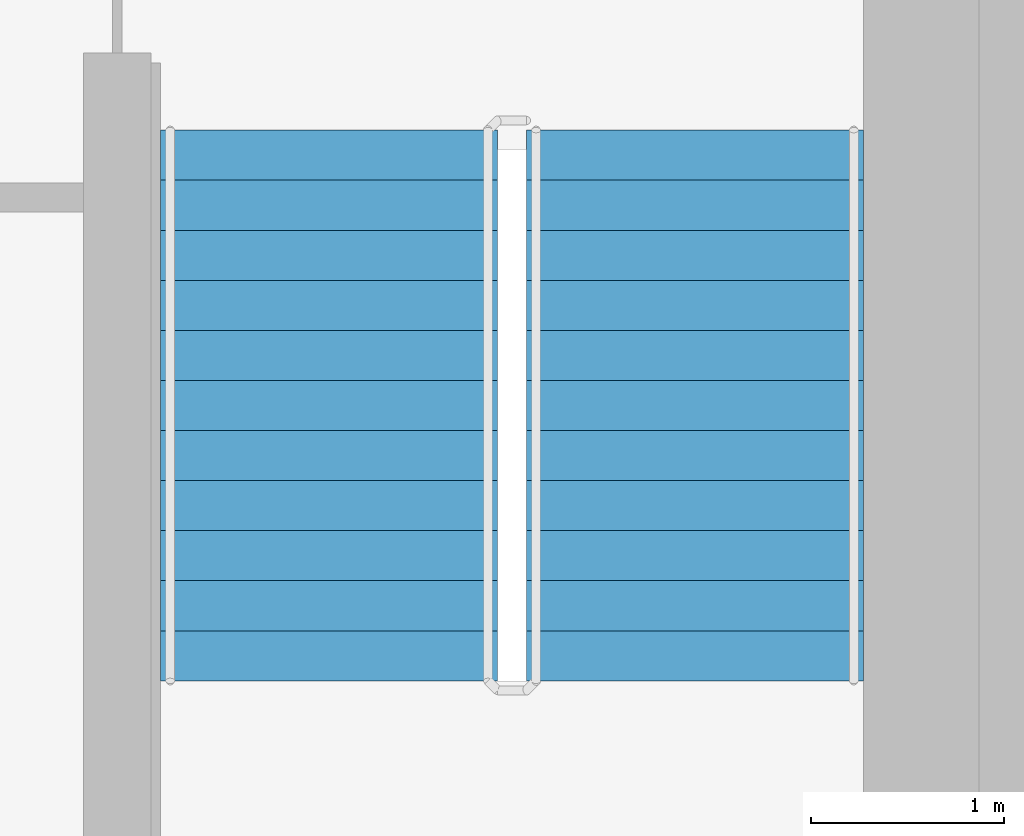
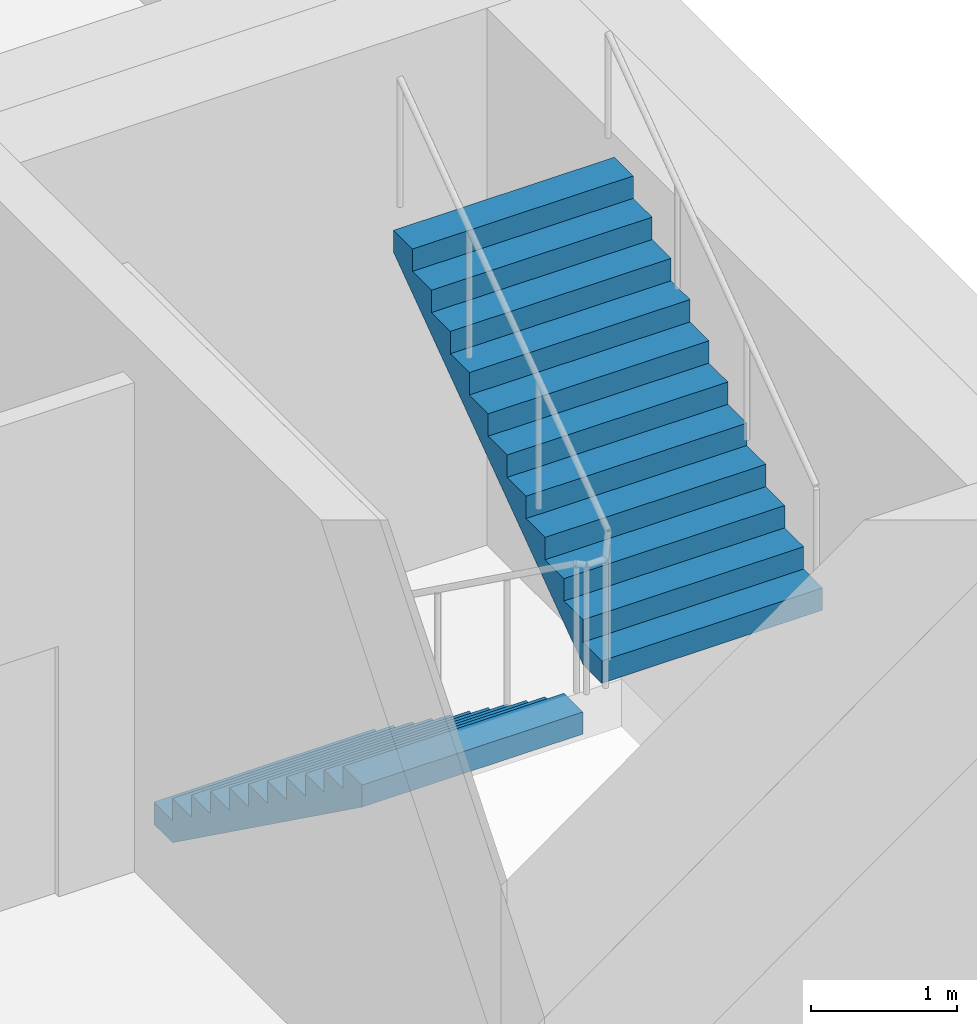
# One storey, part 9 of 11: 2 stair flights, 1 element without a shape of its own.
"""IFC4 building model written with IfcOpenShell, lengths in metres."""

from ifc_helpers import new_model, si_unit, direction, frame, origin, place, context, subcontext, project, spatial, faceted_brep, material, type_object, element, aggregate, save


model = new_model("IFC4")

# Units and contexts
model_context = context("Model", 3, precision=1e-05, world=origin(), true_north=direction((0.0, 1.0)))
body_context = subcontext(model_context, "Body", "Model", "MODEL_VIEW")
ifc_project = project(units=[si_unit("LENGTHUNIT", "METRE"), si_unit("AREAUNIT", "SQUARE_METRE"), si_unit("VOLUMEUNIT", "CUBIC_METRE"), si_unit("PLANEANGLEUNIT", "RADIAN"), si_unit("MASSUNIT", "GRAM", prefix="KILO")], contexts=[model_context])

# Site, building, storey
site_placement = place(None, origin())
site = spatial("IfcSite", under=ifc_project, at=site_placement, CompositionType="ELEMENT")
building_placement = place(site_placement, origin())
building = spatial("IfcBuilding", under=site, at=building_placement, Name="Ipe Terrace Towers", CompositionType="ELEMENT")
storey_placement = place(building_placement, frame((0.0, 0.0, 251.39990234375)))
storey = spatial("IfcBuildingStorey", under=building, at=storey_placement, Name="L69", CompositionType="ELEMENT", Elevation=251.39990234375)

# Stair, stair flights
ifc_material_1 = material(Name="Concrete C30/37", Category="concrete")
stair_type = type_object("IfcStairType", Name="Protected exit stair", PredefinedType="HALF_TURN_STAIR", material=ifc_material_1)
stair_placement = place(storey_placement, origin())
stair = element("IfcStair", 1, at=stair_placement, inside=storey, type_object=stair_type, Name="L69 Exit stair T2-C2", PredefinedType="HALF_TURN_STAIR")
ifc_material_2 = material(Name="Concrete C30/37", Category="concrete")
stair_flight_type = type_object("IfcStairFlightType", Name="Exit stair flight 1750", PredefinedType="STRAIGHT", material=ifc_material_2)
stair_flight_1_placement = place(storey_placement, frame((38.77490234375, -9.699951171875, 0.0), z_axis=(0.0, 0.0, 1.0), x_axis=(0.0, -1.0, 0.0)))
stair_flight_1 = element("IfcStairFlight", 2, at=stair_flight_1_placement, type_object=stair_flight_type, Name="T2-ST2 flight 1", NumberOfRisers=12, NumberOfTreads=11, PredefinedType="STRAIGHT", RiserHeight=0.1875, TreadLength=0.26, context=body_context, shape_type="Brep", body=[
    faceted_brep([(0.25634765625, -0.875, 0.0), (2.860107421875, -0.875, 1.877685546875), (2.860107421875, -0.875, 2.0625), (2.60009765625, -0.875, 2.0625), (2.60009765625, -0.875, 1.875), (2.340087890625, -0.875, 1.875), (2.340087890625, -0.875, 1.6875), (2.080078125, -0.875, 1.6875), (2.080078125, -0.875, 1.5), (1.820068359375, -0.875, 1.5), (1.820068359375, -0.875, 1.3125), (1.56005859375, -0.875, 1.3125), (1.56005859375, -0.875, 1.125), (1.300048828125, -0.875, 1.125), (1.300048828125, -0.875, 0.9375), (1.0400390625, -0.875, 0.9375), (1.0400390625, -0.875, 0.75), (0.780029296875, -0.875, 0.75), (0.780029296875, -0.875, 0.5625), (0.52001953125, -0.875, 0.5625), (0.52001953125, -0.875, 0.375), (0.260009765625, -0.875, 0.375), (0.260009765625, -0.875, 0.1875), (0.0, -0.875, 0.1875), (0.0, -0.875, 0.0), (0.0, 0.875, 0.0), (0.0, 0.875, 0.1875), (0.260009765625, 0.875, 0.1875), (0.260009765625, 0.875, 0.375), (0.52001953125, 0.875, 0.375), (0.52001953125, 0.875, 0.5625), (0.780029296875, 0.875, 0.5625), (0.780029296875, 0.875, 0.75), (1.0400390625, 0.875, 0.75), (1.0400390625, 0.875, 0.9375), (1.300048828125, 0.875, 0.9375), (1.300048828125, 0.875, 1.125), (1.56005859375, 0.875, 1.125), (1.56005859375, 0.875, 1.3125), (1.820068359375, 0.875, 1.3125), (1.820068359375, 0.875, 1.5), (2.080078125, 0.875, 1.5), (2.080078125, 0.875, 1.6875), (2.340087890625, 0.875, 1.6875), (2.340087890625, 0.875, 1.875), (2.60009765625, 0.875, 1.875), (2.60009765625, 0.875, 2.0625), (2.860107421875, 0.875, 2.0625), (2.860107421875, 0.875, 1.877685546875), (0.25634765625, 0.875, 0.0), (0.0, -0.300048828125, 0.1875), (0.0, -0.1201171875, 0.1875), (0.0, -0.06005859375, 0.1875), (0.0, -0.030029296875, 0.1875), (0.0, -0.010009765625, 0.1875), (0.0, 0.0, 0.1875), (0.0, 0.010009765625, 0.1875), (0.0, 0.030029296875, 0.1875), (0.0, 0.06005859375, 0.1875), (0.0, 0.1201171875, 0.1875), (0.0, 0.300048828125, 0.1875), (0.0, 0.300048828125, 0.0), (0.0, 0.1201171875, 0.0), (0.0, 0.06005859375, 0.0), (0.0, 0.030029296875, 0.0), (0.0, 0.010009765625, 0.0), (0.0, 0.0, 0.0), (0.0, -0.010009765625, 0.0), (0.0, -0.030029296875, 0.0), (0.0, -0.06005859375, 0.0), (0.0, -0.1201171875, 0.0), (0.0, -0.300048828125, 0.0), (0.260009765625, -0.300048828125, 0.1875), (0.260009765625, -0.1201171875, 0.1875), (0.260009765625, -0.06005859375, 0.1875), (0.260009765625, -0.030029296875, 0.1875), (0.260009765625, -0.010009765625, 0.1875), (0.260009765625, 0.0, 0.1875), (0.260009765625, 0.010009765625, 0.1875), (0.260009765625, 0.030029296875, 0.1875), (0.260009765625, 0.06005859375, 0.1875), (0.260009765625, 0.1201171875, 0.1875), (0.260009765625, 0.300048828125, 0.1875), (0.260009765625, -0.300048828125, 0.375), (0.260009765625, -0.1201171875, 0.375), (0.260009765625, -0.06005859375, 0.375), (0.260009765625, -0.030029296875, 0.375), (0.260009765625, -0.010009765625, 0.375), (0.260009765625, 0.0, 0.375), (0.260009765625, 0.010009765625, 0.375), (0.260009765625, 0.030029296875, 0.375), (0.260009765625, 0.06005859375, 0.375), (0.260009765625, 0.1201171875, 0.375), (0.260009765625, 0.300048828125, 0.375), (0.52001953125, -0.300048828125, 0.375), (0.52001953125, -0.1201171875, 0.375), (0.52001953125, -0.06005859375, 0.375), (0.52001953125, -0.030029296875, 0.375), (0.52001953125, -0.010009765625, 0.375), (0.52001953125, 0.0, 0.375), (0.52001953125, 0.010009765625, 0.375), (0.52001953125, 0.030029296875, 0.375), (0.52001953125, 0.06005859375, 0.375), (0.52001953125, 0.1201171875, 0.375), (0.52001953125, 0.300048828125, 0.375), (0.52001953125, -0.300048828125, 0.5625), (0.52001953125, -0.1201171875, 0.5625), (0.52001953125, -0.06005859375, 0.5625), (0.52001953125, -0.030029296875, 0.5625), (0.52001953125, -0.010009765625, 0.5625), (0.52001953125, 0.0, 0.5625), (0.52001953125, 0.010009765625, 0.5625), (0.52001953125, 0.030029296875, 0.5625), (0.52001953125, 0.06005859375, 0.5625), (0.52001953125, 0.1201171875, 0.5625), (0.52001953125, 0.300048828125, 0.5625), (0.780029296875, -0.300048828125, 0.5625), (0.780029296875, -0.1201171875, 0.5625), (0.780029296875, -0.06005859375, 0.5625), (0.780029296875, -0.030029296875, 0.5625), (0.780029296875, -0.010009765625, 0.5625), (0.780029296875, 0.0, 0.5625), (0.780029296875, 0.010009765625, 0.5625), (0.780029296875, 0.030029296875, 0.5625), (0.780029296875, 0.06005859375, 0.5625), (0.780029296875, 0.1201171875, 0.5625), (0.780029296875, 0.300048828125, 0.5625), (0.780029296875, -0.300048828125, 0.75), (0.780029296875, -0.1201171875, 0.75), (0.780029296875, -0.06005859375, 0.75), (0.780029296875, -0.030029296875, 0.75), (0.780029296875, -0.010009765625, 0.75), (0.780029296875, 0.0, 0.75), (0.780029296875, 0.010009765625, 0.75), (0.780029296875, 0.030029296875, 0.75), (0.780029296875, 0.06005859375, 0.75), (0.780029296875, 0.1201171875, 0.75), (0.780029296875, 0.300048828125, 0.75), (1.0400390625, -0.300048828125, 0.75), (1.0400390625, -0.1201171875, 0.75), (1.0400390625, -0.06005859375, 0.75), (1.0400390625, -0.030029296875, 0.75), (1.0400390625, -0.010009765625, 0.75), (1.0400390625, 0.0, 0.75), (1.0400390625, 0.010009765625, 0.75), (1.0400390625, 0.030029296875, 0.75), (1.0400390625, 0.06005859375, 0.75), (1.0400390625, 0.1201171875, 0.75), (1.0400390625, 0.300048828125, 0.75), (1.0400390625, -0.300048828125, 0.9375), (1.0400390625, -0.1201171875, 0.9375), (1.0400390625, -0.06005859375, 0.9375), (1.0400390625, -0.030029296875, 0.9375), (1.0400390625, -0.010009765625, 0.9375), (1.0400390625, 0.0, 0.9375), (1.0400390625, 0.010009765625, 0.9375), (1.0400390625, 0.030029296875, 0.9375), (1.0400390625, 0.06005859375, 0.9375), (1.0400390625, 0.1201171875, 0.9375), (1.0400390625, 0.300048828125, 0.9375), (1.300048828125, -0.300048828125, 0.9375), (1.300048828125, -0.1201171875, 0.9375), (1.300048828125, -0.06005859375, 0.9375), (1.300048828125, -0.030029296875, 0.9375), (1.300048828125, -0.010009765625, 0.9375), (1.300048828125, 0.0, 0.9375), (1.300048828125, 0.010009765625, 0.9375), (1.300048828125, 0.030029296875, 0.9375), (1.300048828125, 0.06005859375, 0.9375), (1.300048828125, 0.1201171875, 0.9375), (1.300048828125, 0.300048828125, 0.9375), (1.300048828125, -0.300048828125, 1.125), (1.300048828125, -0.1201171875, 1.125), (1.300048828125, -0.06005859375, 1.125), (1.300048828125, -0.030029296875, 1.125), (1.300048828125, -0.010009765625, 1.125), (1.300048828125, 0.0, 1.125), (1.300048828125, 0.010009765625, 1.125), (1.300048828125, 0.030029296875, 1.125), (1.300048828125, 0.06005859375, 1.125), (1.300048828125, 0.1201171875, 1.125), (1.300048828125, 0.300048828125, 1.125), (1.56005859375, -0.300048828125, 1.125), (1.56005859375, -0.1201171875, 1.125), (1.56005859375, -0.06005859375, 1.125), (1.56005859375, -0.030029296875, 1.125), (1.56005859375, -0.010009765625, 1.125), (1.56005859375, 0.0, 1.125), (1.56005859375, 0.010009765625, 1.125), (1.56005859375, 0.030029296875, 1.125), (1.56005859375, 0.06005859375, 1.125), (1.56005859375, 0.1201171875, 1.125), (1.56005859375, 0.300048828125, 1.125), (1.56005859375, -0.300048828125, 1.3125), (1.56005859375, -0.1201171875, 1.3125), (1.56005859375, -0.06005859375, 1.3125), (1.56005859375, -0.030029296875, 1.3125), (1.56005859375, -0.010009765625, 1.3125), (1.56005859375, 0.0, 1.3125), (1.56005859375, 0.010009765625, 1.3125), (1.56005859375, 0.030029296875, 1.3125), (1.56005859375, 0.06005859375, 1.3125), (1.56005859375, 0.1201171875, 1.3125), (1.56005859375, 0.300048828125, 1.3125), (1.820068359375, -0.300048828125, 1.3125), (1.820068359375, -0.1201171875, 1.3125), (1.820068359375, -0.06005859375, 1.3125), (1.820068359375, -0.030029296875, 1.3125), (1.820068359375, -0.010009765625, 1.3125), (1.820068359375, 0.0, 1.3125), (1.820068359375, 0.010009765625, 1.3125), (1.820068359375, 0.030029296875, 1.3125), (1.820068359375, 0.06005859375, 1.3125), (1.820068359375, 0.1201171875, 1.3125), (1.820068359375, 0.300048828125, 1.3125), (1.820068359375, -0.300048828125, 1.5), (1.820068359375, -0.1201171875, 1.5), (1.820068359375, -0.06005859375, 1.5), (1.820068359375, -0.030029296875, 1.5), (1.820068359375, -0.010009765625, 1.5), (1.820068359375, 0.0, 1.5), (1.820068359375, 0.010009765625, 1.5), (1.820068359375, 0.030029296875, 1.5), (1.820068359375, 0.06005859375, 1.5), (1.820068359375, 0.1201171875, 1.5), (1.820068359375, 0.300048828125, 1.5), (2.080078125, -0.300048828125, 1.5), (2.080078125, -0.1201171875, 1.5), (2.080078125, -0.06005859375, 1.5), (2.080078125, -0.030029296875, 1.5), (2.080078125, -0.010009765625, 1.5), (2.080078125, 0.0, 1.5), (2.080078125, 0.010009765625, 1.5), (2.080078125, 0.030029296875, 1.5), (2.080078125, 0.06005859375, 1.5), (2.080078125, 0.1201171875, 1.5), (2.080078125, 0.300048828125, 1.5), (2.080078125, -0.300048828125, 1.6875), (2.080078125, -0.1201171875, 1.6875), (2.080078125, -0.06005859375, 1.6875), (2.080078125, -0.030029296875, 1.6875), (2.080078125, -0.010009765625, 1.6875), (2.080078125, 0.0, 1.6875), (2.080078125, 0.010009765625, 1.6875), (2.080078125, 0.030029296875, 1.6875), (2.080078125, 0.06005859375, 1.6875), (2.080078125, 0.1201171875, 1.6875), (2.080078125, 0.300048828125, 1.6875), (2.340087890625, -0.300048828125, 1.6875), (2.340087890625, -0.1201171875, 1.6875), (2.340087890625, -0.06005859375, 1.6875), (2.340087890625, -0.030029296875, 1.6875), (2.340087890625, -0.010009765625, 1.6875), (2.340087890625, 0.0, 1.6875), (2.340087890625, 0.010009765625, 1.6875), (2.340087890625, 0.030029296875, 1.6875), (2.340087890625, 0.06005859375, 1.6875), (2.340087890625, 0.1201171875, 1.6875), (2.340087890625, 0.300048828125, 1.6875), (2.340087890625, -0.300048828125, 1.875), (2.340087890625, -0.1201171875, 1.875), (2.340087890625, -0.06005859375, 1.875), (2.340087890625, -0.030029296875, 1.875), (2.340087890625, -0.010009765625, 1.875), (2.340087890625, 0.0, 1.875), (2.340087890625, 0.010009765625, 1.875), (2.340087890625, 0.030029296875, 1.875), (2.340087890625, 0.06005859375, 1.875), (2.340087890625, 0.1201171875, 1.875), (2.340087890625, 0.300048828125, 1.875), (2.60009765625, -0.300048828125, 1.875), (2.60009765625, -0.1201171875, 1.875), (2.60009765625, -0.06005859375, 1.875), (2.60009765625, -0.030029296875, 1.875), (2.60009765625, -0.010009765625, 1.875), (2.60009765625, 0.0, 1.875), (2.60009765625, 0.010009765625, 1.875), (2.60009765625, 0.030029296875, 1.875), (2.60009765625, 0.06005859375, 1.875), (2.60009765625, 0.1201171875, 1.875), (2.60009765625, 0.300048828125, 1.875), (2.60009765625, -0.300048828125, 2.0625), (2.60009765625, -0.1201171875, 2.0625), (2.60009765625, -0.06005859375, 2.0625), (2.60009765625, -0.030029296875, 2.0625), (2.60009765625, -0.010009765625, 2.0625), (2.60009765625, 0.0, 2.0625), (2.60009765625, 0.010009765625, 2.0625), (2.60009765625, 0.030029296875, 2.0625), (2.60009765625, 0.06005859375, 2.0625), (2.60009765625, 0.1201171875, 2.0625), (2.60009765625, 0.300048828125, 2.0625), (2.860107421875, -0.300048828125, 2.0625), (2.860107421875, -0.1201171875, 2.0625), (2.860107421875, -0.06005859375, 2.0625), (2.860107421875, -0.030029296875, 2.0625), (2.860107421875, -0.010009765625, 2.0625), (2.860107421875, 0.0, 2.0625), (2.860107421875, 0.010009765625, 2.0625), (2.860107421875, 0.030029296875, 2.0625), (2.860107421875, 0.06005859375, 2.0625), (2.860107421875, 0.1201171875, 2.0625), (2.860107421875, 0.300048828125, 2.0625), (2.860107421875, -0.300048828125, 1.877685546875), (2.860107421875, -0.1201171875, 1.877685546875), (2.860107421875, -0.06005859375, 1.877685546875), (2.860107421875, -0.030029296875, 1.877685546875), (2.860107421875, -0.010009765625, 1.877685546875), (2.860107421875, 0.0, 1.877685546875), (2.860107421875, 0.010009765625, 1.877685546875), (2.860107421875, 0.030029296875, 1.877685546875), (2.860107421875, 0.06005859375, 1.877685546875), (2.860107421875, 0.1201171875, 1.877685546875), (2.860107421875, 0.300048828125, 1.877685546875), (0.25634765625, -0.300048828125, 0.0), (0.25634765625, -0.1201171875, 0.0), (0.25634765625, -0.06005859375, 0.0), (0.25634765625, -0.030029296875, 0.0), (0.25634765625, -0.010009765625, 0.0), (0.25634765625, 0.0, 0.0), (0.25634765625, 0.010009765625, 0.0), (0.25634765625, 0.030029296875, 0.0), (0.25634765625, 0.06005859375, 0.0), (0.25634765625, 0.1201171875, 0.0), (0.25634765625, 0.300048828125, 0.0)], [[[0, 1, 2, 3, 4, 5, 6, 7, 8, 9, 10, 11, 12, 13, 14, 15, 16, 17, 18, 19, 20, 21, 22, 23, 24]], [[25, 26, 27, 28, 29, 30, 31, 32, 33, 34, 35, 36, 37, 38, 39, 40, 41, 42, 43, 44, 45, 46, 47, 48, 49]], [[23, 50, 51, 52, 53, 54, 55, 56, 57, 58, 59, 60, 26, 25, 61, 62, 63, 64, 65, 66, 67, 68, 69, 70, 71, 24]], [[22, 72, 73, 74, 75, 76, 77, 78, 79, 80, 81, 82, 27, 26, 60, 59, 58, 57, 56, 55, 54, 53, 52, 51, 50, 23]], [[21, 83, 84, 85, 86, 87, 88, 89, 90, 91, 92, 93, 28, 27, 82, 81, 80, 79, 78, 77, 76, 75, 74, 73, 72, 22]], [[20, 94, 95, 96, 97, 98, 99, 100, 101, 102, 103, 104, 29, 28, 93, 92, 91, 90, 89, 88, 87, 86, 85, 84, 83, 21]], [[19, 105, 106, 107, 108, 109, 110, 111, 112, 113, 114, 115, 30, 29, 104, 103, 102, 101, 100, 99, 98, 97, 96, 95, 94, 20]], [[18, 116, 117, 118, 119, 120, 121, 122, 123, 124, 125, 126, 31, 30, 115, 114, 113, 112, 111, 110, 109, 108, 107, 106, 105, 19]], [[17, 127, 128, 129, 130, 131, 132, 133, 134, 135, 136, 137, 32, 31, 126, 125, 124, 123, 122, 121, 120, 119, 118, 117, 116, 18]], [[16, 138, 139, 140, 141, 142, 143, 144, 145, 146, 147, 148, 33, 32, 137, 136, 135, 134, 133, 132, 131, 130, 129, 128, 127, 17]], [[15, 149, 150, 151, 152, 153, 154, 155, 156, 157, 158, 159, 34, 33, 148, 147, 146, 145, 144, 143, 142, 141, 140, 139, 138, 16]], [[14, 160, 161, 162, 163, 164, 165, 166, 167, 168, 169, 170, 35, 34, 159, 158, 157, 156, 155, 154, 153, 152, 151, 150, 149, 15]], [[13, 171, 172, 173, 174, 175, 176, 177, 178, 179, 180, 181, 36, 35, 170, 169, 168, 167, 166, 165, 164, 163, 162, 161, 160, 14]], [[12, 182, 183, 184, 185, 186, 187, 188, 189, 190, 191, 192, 37, 36, 181, 180, 179, 178, 177, 176, 175, 174, 173, 172, 171, 13]], [[11, 193, 194, 195, 196, 197, 198, 199, 200, 201, 202, 203, 38, 37, 192, 191, 190, 189, 188, 187, 186, 185, 184, 183, 182, 12]], [[10, 204, 205, 206, 207, 208, 209, 210, 211, 212, 213, 214, 39, 38, 203, 202, 201, 200, 199, 198, 197, 196, 195, 194, 193, 11]], [[9, 215, 216, 217, 218, 219, 220, 221, 222, 223, 224, 225, 40, 39, 214, 213, 212, 211, 210, 209, 208, 207, 206, 205, 204, 10]], [[8, 226, 227, 228, 229, 230, 231, 232, 233, 234, 235, 236, 41, 40, 225, 224, 223, 222, 221, 220, 219, 218, 217, 216, 215, 9]], [[7, 237, 238, 239, 240, 241, 242, 243, 244, 245, 246, 247, 42, 41, 236, 235, 234, 233, 232, 231, 230, 229, 228, 227, 226, 8]], [[6, 248, 249, 250, 251, 252, 253, 254, 255, 256, 257, 258, 43, 42, 247, 246, 245, 244, 243, 242, 241, 240, 239, 238, 237, 7]], [[5, 259, 260, 261, 262, 263, 264, 265, 266, 267, 268, 269, 44, 43, 258, 257, 256, 255, 254, 253, 252, 251, 250, 249, 248, 6]], [[4, 270, 271, 272, 273, 274, 275, 276, 277, 278, 279, 280, 45, 44, 269, 268, 267, 266, 265, 264, 263, 262, 261, 260, 259, 5]], [[3, 281, 282, 283, 284, 285, 286, 287, 288, 289, 290, 291, 46, 45, 280, 279, 278, 277, 276, 275, 274, 273, 272, 271, 270, 4]], [[2, 292, 293, 294, 295, 296, 297, 298, 299, 300, 301, 302, 47, 46, 291, 290, 289, 288, 287, 286, 285, 284, 283, 282, 281, 3]], [[1, 303, 304, 305, 306, 307, 308, 309, 310, 311, 312, 313, 48, 47, 302, 301, 300, 299, 298, 297, 296, 295, 294, 293, 292, 2]], [[0, 314, 315, 316, 317, 318, 319, 320, 321, 322, 323, 324, 49, 48, 313, 312, 311, 310, 309, 308, 307, 306, 305, 304, 303, 1]], [[24, 71, 70, 69, 68, 67, 66, 65, 64, 63, 62, 61, 25, 49, 324, 323, 322, 321, 320, 319, 318, 317, 316, 315, 314, 0]]]),
])
stair_flight_2_placement = place(storey_placement, frame((40.675048828125, -12.56005859375, 2.25), z_axis=(0.0, 0.0, 1.0), x_axis=(0.0, 1.0, 0.0)))
stair_flight_2 = element("IfcStairFlight", 3, at=stair_flight_2_placement, type_object=stair_flight_type, Name="T2-ST2 flight 2", NumberOfRisers=12, NumberOfTreads=11, PredefinedType="STRAIGHT", RiserHeight=0.1875, TreadLength=0.26, context=body_context, shape_type="Brep", body=[
    faceted_brep([(0.25634765625, -0.875, 0.0), (2.860107421875, -0.875, 1.877685546875), (2.860107421875, -0.875, 2.0625), (2.60009765625, -0.875, 2.0625), (2.60009765625, -0.875, 1.875), (2.340087890625, -0.875, 1.875), (2.340087890625, -0.875, 1.6875), (2.080078125, -0.875, 1.6875), (2.080078125, -0.875, 1.5), (1.820068359375, -0.875, 1.5), (1.820068359375, -0.875, 1.3125), (1.56005859375, -0.875, 1.3125), (1.56005859375, -0.875, 1.125), (1.300048828125, -0.875, 1.125), (1.300048828125, -0.875, 0.9375), (1.0400390625, -0.875, 0.9375), (1.0400390625, -0.875, 0.75), (0.780029296875, -0.875, 0.75), (0.780029296875, -0.875, 0.5625), (0.52001953125, -0.875, 0.5625), (0.52001953125, -0.875, 0.375), (0.260009765625, -0.875, 0.375), (0.260009765625, -0.875, 0.1875), (0.0, -0.875, 0.1875), (0.0, -0.875, 0.0), (0.0, 0.875, 0.0), (0.0, 0.875, 0.1875), (0.260009765625, 0.875, 0.1875), (0.260009765625, 0.875, 0.375), (0.52001953125, 0.875, 0.375), (0.52001953125, 0.875, 0.5625), (0.780029296875, 0.875, 0.5625), (0.780029296875, 0.875, 0.75), (1.0400390625, 0.875, 0.75), (1.0400390625, 0.875, 0.9375), (1.300048828125, 0.875, 0.9375), (1.300048828125, 0.875, 1.125), (1.56005859375, 0.875, 1.125), (1.56005859375, 0.875, 1.3125), (1.820068359375, 0.875, 1.3125), (1.820068359375, 0.875, 1.5), (2.080078125, 0.875, 1.5), (2.080078125, 0.875, 1.6875), (2.340087890625, 0.875, 1.6875), (2.340087890625, 0.875, 1.875), (2.60009765625, 0.875, 1.875), (2.60009765625, 0.875, 2.0625), (2.860107421875, 0.875, 2.0625), (2.860107421875, 0.875, 1.877685546875), (0.25634765625, 0.875, 0.0), (0.0, -0.300048828125, 0.1875), (0.0, -0.1201171875, 0.1875), (0.0, -0.06005859375, 0.1875), (0.0, -0.030029296875, 0.1875), (0.0, -0.010009765625, 0.1875), (0.0, 0.0, 0.1875), (0.0, 0.010009765625, 0.1875), (0.0, 0.030029296875, 0.1875), (0.0, 0.06005859375, 0.1875), (0.0, 0.1201171875, 0.1875), (0.0, 0.300048828125, 0.1875), (0.0, 0.300048828125, 0.0), (0.0, 0.1201171875, 0.0), (0.0, 0.06005859375, 0.0), (0.0, 0.030029296875, 0.0), (0.0, 0.010009765625, 0.0), (0.0, 0.0, 0.0), (0.0, -0.010009765625, 0.0), (0.0, -0.030029296875, 0.0), (0.0, -0.06005859375, 0.0), (0.0, -0.1201171875, 0.0), (0.0, -0.300048828125, 0.0), (0.260009765625, -0.300048828125, 0.1875), (0.260009765625, -0.1201171875, 0.1875), (0.260009765625, -0.06005859375, 0.1875), (0.260009765625, -0.030029296875, 0.1875), (0.260009765625, -0.010009765625, 0.1875), (0.260009765625, 0.0, 0.1875), (0.260009765625, 0.010009765625, 0.1875), (0.260009765625, 0.030029296875, 0.1875), (0.260009765625, 0.06005859375, 0.1875), (0.260009765625, 0.1201171875, 0.1875), (0.260009765625, 0.300048828125, 0.1875), (0.260009765625, -0.300048828125, 0.375), (0.260009765625, -0.1201171875, 0.375), (0.260009765625, -0.06005859375, 0.375), (0.260009765625, -0.030029296875, 0.375), (0.260009765625, -0.010009765625, 0.375), (0.260009765625, 0.0, 0.375), (0.260009765625, 0.010009765625, 0.375), (0.260009765625, 0.030029296875, 0.375), (0.260009765625, 0.06005859375, 0.375), (0.260009765625, 0.1201171875, 0.375), (0.260009765625, 0.300048828125, 0.375), (0.52001953125, -0.300048828125, 0.375), (0.52001953125, -0.1201171875, 0.375), (0.52001953125, -0.06005859375, 0.375), (0.52001953125, -0.030029296875, 0.375), (0.52001953125, -0.010009765625, 0.375), (0.52001953125, 0.0, 0.375), (0.52001953125, 0.010009765625, 0.375), (0.52001953125, 0.030029296875, 0.375), (0.52001953125, 0.06005859375, 0.375), (0.52001953125, 0.1201171875, 0.375), (0.52001953125, 0.300048828125, 0.375), (0.52001953125, -0.300048828125, 0.5625), (0.52001953125, -0.1201171875, 0.5625), (0.52001953125, -0.06005859375, 0.5625), (0.52001953125, -0.030029296875, 0.5625), (0.52001953125, -0.010009765625, 0.5625), (0.52001953125, 0.0, 0.5625), (0.52001953125, 0.010009765625, 0.5625), (0.52001953125, 0.030029296875, 0.5625), (0.52001953125, 0.06005859375, 0.5625), (0.52001953125, 0.1201171875, 0.5625), (0.52001953125, 0.300048828125, 0.5625), (0.780029296875, -0.300048828125, 0.5625), (0.780029296875, -0.1201171875, 0.5625), (0.780029296875, -0.06005859375, 0.5625), (0.780029296875, -0.030029296875, 0.5625), (0.780029296875, -0.010009765625, 0.5625), (0.780029296875, 0.0, 0.5625), (0.780029296875, 0.010009765625, 0.5625), (0.780029296875, 0.030029296875, 0.5625), (0.780029296875, 0.06005859375, 0.5625), (0.780029296875, 0.1201171875, 0.5625), (0.780029296875, 0.300048828125, 0.5625), (0.780029296875, -0.300048828125, 0.75), (0.780029296875, -0.1201171875, 0.75), (0.780029296875, -0.06005859375, 0.75), (0.780029296875, -0.030029296875, 0.75), (0.780029296875, -0.010009765625, 0.75), (0.780029296875, 0.0, 0.75), (0.780029296875, 0.010009765625, 0.75), (0.780029296875, 0.030029296875, 0.75), (0.780029296875, 0.06005859375, 0.75), (0.780029296875, 0.1201171875, 0.75), (0.780029296875, 0.300048828125, 0.75), (1.0400390625, -0.300048828125, 0.75), (1.0400390625, -0.1201171875, 0.75), (1.0400390625, -0.06005859375, 0.75), (1.0400390625, -0.030029296875, 0.75), (1.0400390625, -0.010009765625, 0.75), (1.0400390625, 0.0, 0.75), (1.0400390625, 0.010009765625, 0.75), (1.0400390625, 0.030029296875, 0.75), (1.0400390625, 0.06005859375, 0.75), (1.0400390625, 0.1201171875, 0.75), (1.0400390625, 0.300048828125, 0.75), (1.0400390625, -0.300048828125, 0.9375), (1.0400390625, -0.1201171875, 0.9375), (1.0400390625, -0.06005859375, 0.9375), (1.0400390625, -0.030029296875, 0.9375), (1.0400390625, -0.010009765625, 0.9375), (1.0400390625, 0.0, 0.9375), (1.0400390625, 0.010009765625, 0.9375), (1.0400390625, 0.030029296875, 0.9375), (1.0400390625, 0.06005859375, 0.9375), (1.0400390625, 0.1201171875, 0.9375), (1.0400390625, 0.300048828125, 0.9375), (1.300048828125, -0.300048828125, 0.9375), (1.300048828125, -0.1201171875, 0.9375), (1.300048828125, -0.06005859375, 0.9375), (1.300048828125, -0.030029296875, 0.9375), (1.300048828125, -0.010009765625, 0.9375), (1.300048828125, 0.0, 0.9375), (1.300048828125, 0.010009765625, 0.9375), (1.300048828125, 0.030029296875, 0.9375), (1.300048828125, 0.06005859375, 0.9375), (1.300048828125, 0.1201171875, 0.9375), (1.300048828125, 0.300048828125, 0.9375), (1.300048828125, -0.300048828125, 1.125), (1.300048828125, -0.1201171875, 1.125), (1.300048828125, -0.06005859375, 1.125), (1.300048828125, -0.030029296875, 1.125), (1.300048828125, -0.010009765625, 1.125), (1.300048828125, 0.0, 1.125), (1.300048828125, 0.010009765625, 1.125), (1.300048828125, 0.030029296875, 1.125), (1.300048828125, 0.06005859375, 1.125), (1.300048828125, 0.1201171875, 1.125), (1.300048828125, 0.300048828125, 1.125), (1.56005859375, -0.300048828125, 1.125), (1.56005859375, -0.1201171875, 1.125), (1.56005859375, -0.06005859375, 1.125), (1.56005859375, -0.030029296875, 1.125), (1.56005859375, -0.010009765625, 1.125), (1.56005859375, 0.0, 1.125), (1.56005859375, 0.010009765625, 1.125), (1.56005859375, 0.030029296875, 1.125), (1.56005859375, 0.06005859375, 1.125), (1.56005859375, 0.1201171875, 1.125), (1.56005859375, 0.300048828125, 1.125), (1.56005859375, -0.300048828125, 1.3125), (1.56005859375, -0.1201171875, 1.3125), (1.56005859375, -0.06005859375, 1.3125), (1.56005859375, -0.030029296875, 1.3125), (1.56005859375, -0.010009765625, 1.3125), (1.56005859375, 0.0, 1.3125), (1.56005859375, 0.010009765625, 1.3125), (1.56005859375, 0.030029296875, 1.3125), (1.56005859375, 0.06005859375, 1.3125), (1.56005859375, 0.1201171875, 1.3125), (1.56005859375, 0.300048828125, 1.3125), (1.820068359375, -0.300048828125, 1.3125), (1.820068359375, -0.1201171875, 1.3125), (1.820068359375, -0.06005859375, 1.3125), (1.820068359375, -0.030029296875, 1.3125), (1.820068359375, -0.010009765625, 1.3125), (1.820068359375, 0.0, 1.3125), (1.820068359375, 0.010009765625, 1.3125), (1.820068359375, 0.030029296875, 1.3125), (1.820068359375, 0.06005859375, 1.3125), (1.820068359375, 0.1201171875, 1.3125), (1.820068359375, 0.300048828125, 1.3125), (1.820068359375, -0.300048828125, 1.5), (1.820068359375, -0.1201171875, 1.5), (1.820068359375, -0.06005859375, 1.5), (1.820068359375, -0.030029296875, 1.5), (1.820068359375, -0.010009765625, 1.5), (1.820068359375, 0.0, 1.5), (1.820068359375, 0.010009765625, 1.5), (1.820068359375, 0.030029296875, 1.5), (1.820068359375, 0.06005859375, 1.5), (1.820068359375, 0.1201171875, 1.5), (1.820068359375, 0.300048828125, 1.5), (2.080078125, -0.300048828125, 1.5), (2.080078125, -0.1201171875, 1.5), (2.080078125, -0.06005859375, 1.5), (2.080078125, -0.030029296875, 1.5), (2.080078125, -0.010009765625, 1.5), (2.080078125, 0.0, 1.5), (2.080078125, 0.010009765625, 1.5), (2.080078125, 0.030029296875, 1.5), (2.080078125, 0.06005859375, 1.5), (2.080078125, 0.1201171875, 1.5), (2.080078125, 0.300048828125, 1.5), (2.080078125, -0.300048828125, 1.6875), (2.080078125, -0.1201171875, 1.6875), (2.080078125, -0.06005859375, 1.6875), (2.080078125, -0.030029296875, 1.6875), (2.080078125, -0.010009765625, 1.6875), (2.080078125, 0.0, 1.6875), (2.080078125, 0.010009765625, 1.6875), (2.080078125, 0.030029296875, 1.6875), (2.080078125, 0.06005859375, 1.6875), (2.080078125, 0.1201171875, 1.6875), (2.080078125, 0.300048828125, 1.6875), (2.340087890625, -0.300048828125, 1.6875), (2.340087890625, -0.1201171875, 1.6875), (2.340087890625, -0.06005859375, 1.6875), (2.340087890625, -0.030029296875, 1.6875), (2.340087890625, -0.010009765625, 1.6875), (2.340087890625, 0.0, 1.6875), (2.340087890625, 0.010009765625, 1.6875), (2.340087890625, 0.030029296875, 1.6875), (2.340087890625, 0.06005859375, 1.6875), (2.340087890625, 0.1201171875, 1.6875), (2.340087890625, 0.300048828125, 1.6875), (2.340087890625, -0.300048828125, 1.875), (2.340087890625, -0.1201171875, 1.875), (2.340087890625, -0.06005859375, 1.875), (2.340087890625, -0.030029296875, 1.875), (2.340087890625, -0.010009765625, 1.875), (2.340087890625, 0.0, 1.875), (2.340087890625, 0.010009765625, 1.875), (2.340087890625, 0.030029296875, 1.875), (2.340087890625, 0.06005859375, 1.875), (2.340087890625, 0.1201171875, 1.875), (2.340087890625, 0.300048828125, 1.875), (2.60009765625, -0.300048828125, 1.875), (2.60009765625, -0.1201171875, 1.875), (2.60009765625, -0.06005859375, 1.875), (2.60009765625, -0.030029296875, 1.875), (2.60009765625, -0.010009765625, 1.875), (2.60009765625, 0.0, 1.875), (2.60009765625, 0.010009765625, 1.875), (2.60009765625, 0.030029296875, 1.875), (2.60009765625, 0.06005859375, 1.875), (2.60009765625, 0.1201171875, 1.875), (2.60009765625, 0.300048828125, 1.875), (2.60009765625, -0.300048828125, 2.0625), (2.60009765625, -0.1201171875, 2.0625), (2.60009765625, -0.06005859375, 2.0625), (2.60009765625, -0.030029296875, 2.0625), (2.60009765625, -0.010009765625, 2.0625), (2.60009765625, 0.0, 2.0625), (2.60009765625, 0.010009765625, 2.0625), (2.60009765625, 0.030029296875, 2.0625), (2.60009765625, 0.06005859375, 2.0625), (2.60009765625, 0.1201171875, 2.0625), (2.60009765625, 0.300048828125, 2.0625), (2.860107421875, -0.300048828125, 2.0625), (2.860107421875, -0.1201171875, 2.0625), (2.860107421875, -0.06005859375, 2.0625), (2.860107421875, -0.030029296875, 2.0625), (2.860107421875, -0.010009765625, 2.0625), (2.860107421875, 0.0, 2.0625), (2.860107421875, 0.010009765625, 2.0625), (2.860107421875, 0.030029296875, 2.0625), (2.860107421875, 0.06005859375, 2.0625), (2.860107421875, 0.1201171875, 2.0625), (2.860107421875, 0.300048828125, 2.0625), (2.860107421875, -0.300048828125, 1.877685546875), (2.860107421875, -0.1201171875, 1.877685546875), (2.860107421875, -0.06005859375, 1.877685546875), (2.860107421875, -0.030029296875, 1.877685546875), (2.860107421875, -0.010009765625, 1.877685546875), (2.860107421875, 0.0, 1.877685546875), (2.860107421875, 0.010009765625, 1.877685546875), (2.860107421875, 0.030029296875, 1.877685546875), (2.860107421875, 0.06005859375, 1.877685546875), (2.860107421875, 0.1201171875, 1.877685546875), (2.860107421875, 0.300048828125, 1.877685546875), (0.25634765625, -0.300048828125, 0.0), (0.25634765625, -0.1201171875, 0.0), (0.25634765625, -0.06005859375, 0.0), (0.25634765625, -0.030029296875, 0.0), (0.25634765625, -0.010009765625, 0.0), (0.25634765625, 0.0, 0.0), (0.25634765625, 0.010009765625, 0.0), (0.25634765625, 0.030029296875, 0.0), (0.25634765625, 0.06005859375, 0.0), (0.25634765625, 0.1201171875, 0.0), (0.25634765625, 0.300048828125, 0.0)], [[[0, 1, 2, 3, 4, 5, 6, 7, 8, 9, 10, 11, 12, 13, 14, 15, 16, 17, 18, 19, 20, 21, 22, 23, 24]], [[25, 26, 27, 28, 29, 30, 31, 32, 33, 34, 35, 36, 37, 38, 39, 40, 41, 42, 43, 44, 45, 46, 47, 48, 49]], [[23, 50, 51, 52, 53, 54, 55, 56, 57, 58, 59, 60, 26, 25, 61, 62, 63, 64, 65, 66, 67, 68, 69, 70, 71, 24]], [[22, 72, 73, 74, 75, 76, 77, 78, 79, 80, 81, 82, 27, 26, 60, 59, 58, 57, 56, 55, 54, 53, 52, 51, 50, 23]], [[21, 83, 84, 85, 86, 87, 88, 89, 90, 91, 92, 93, 28, 27, 82, 81, 80, 79, 78, 77, 76, 75, 74, 73, 72, 22]], [[20, 94, 95, 96, 97, 98, 99, 100, 101, 102, 103, 104, 29, 28, 93, 92, 91, 90, 89, 88, 87, 86, 85, 84, 83, 21]], [[19, 105, 106, 107, 108, 109, 110, 111, 112, 113, 114, 115, 30, 29, 104, 103, 102, 101, 100, 99, 98, 97, 96, 95, 94, 20]], [[18, 116, 117, 118, 119, 120, 121, 122, 123, 124, 125, 126, 31, 30, 115, 114, 113, 112, 111, 110, 109, 108, 107, 106, 105, 19]], [[17, 127, 128, 129, 130, 131, 132, 133, 134, 135, 136, 137, 32, 31, 126, 125, 124, 123, 122, 121, 120, 119, 118, 117, 116, 18]], [[16, 138, 139, 140, 141, 142, 143, 144, 145, 146, 147, 148, 33, 32, 137, 136, 135, 134, 133, 132, 131, 130, 129, 128, 127, 17]], [[15, 149, 150, 151, 152, 153, 154, 155, 156, 157, 158, 159, 34, 33, 148, 147, 146, 145, 144, 143, 142, 141, 140, 139, 138, 16]], [[14, 160, 161, 162, 163, 164, 165, 166, 167, 168, 169, 170, 35, 34, 159, 158, 157, 156, 155, 154, 153, 152, 151, 150, 149, 15]], [[13, 171, 172, 173, 174, 175, 176, 177, 178, 179, 180, 181, 36, 35, 170, 169, 168, 167, 166, 165, 164, 163, 162, 161, 160, 14]], [[12, 182, 183, 184, 185, 186, 187, 188, 189, 190, 191, 192, 37, 36, 181, 180, 179, 178, 177, 176, 175, 174, 173, 172, 171, 13]], [[11, 193, 194, 195, 196, 197, 198, 199, 200, 201, 202, 203, 38, 37, 192, 191, 190, 189, 188, 187, 186, 185, 184, 183, 182, 12]], [[10, 204, 205, 206, 207, 208, 209, 210, 211, 212, 213, 214, 39, 38, 203, 202, 201, 200, 199, 198, 197, 196, 195, 194, 193, 11]], [[9, 215, 216, 217, 218, 219, 220, 221, 222, 223, 224, 225, 40, 39, 214, 213, 212, 211, 210, 209, 208, 207, 206, 205, 204, 10]], [[8, 226, 227, 228, 229, 230, 231, 232, 233, 234, 235, 236, 41, 40, 225, 224, 223, 222, 221, 220, 219, 218, 217, 216, 215, 9]], [[7, 237, 238, 239, 240, 241, 242, 243, 244, 245, 246, 247, 42, 41, 236, 235, 234, 233, 232, 231, 230, 229, 228, 227, 226, 8]], [[6, 248, 249, 250, 251, 252, 253, 254, 255, 256, 257, 258, 43, 42, 247, 246, 245, 244, 243, 242, 241, 240, 239, 238, 237, 7]], [[5, 259, 260, 261, 262, 263, 264, 265, 266, 267, 268, 269, 44, 43, 258, 257, 256, 255, 254, 253, 252, 251, 250, 249, 248, 6]], [[4, 270, 271, 272, 273, 274, 275, 276, 277, 278, 279, 280, 45, 44, 269, 268, 267, 266, 265, 264, 263, 262, 261, 260, 259, 5]], [[3, 281, 282, 283, 284, 285, 286, 287, 288, 289, 290, 291, 46, 45, 280, 279, 278, 277, 276, 275, 274, 273, 272, 271, 270, 4]], [[2, 292, 293, 294, 295, 296, 297, 298, 299, 300, 301, 302, 47, 46, 291, 290, 289, 288, 287, 286, 285, 284, 283, 282, 281, 3]], [[1, 303, 304, 305, 306, 307, 308, 309, 310, 311, 312, 313, 48, 47, 302, 301, 300, 299, 298, 297, 296, 295, 294, 293, 292, 2]], [[0, 314, 315, 316, 317, 318, 319, 320, 321, 322, 323, 324, 49, 48, 313, 312, 311, 310, 309, 308, 307, 306, 305, 304, 303, 1]], [[24, 71, 70, 69, 68, 67, 66, 65, 64, 63, 62, 61, 25, 49, 324, 323, 322, 321, 320, 319, 318, 317, 316, 315, 314, 0]]]),
])
aggregate(stair, [stair_flight_1, stair_flight_2])

save(model, "model.ifc")
